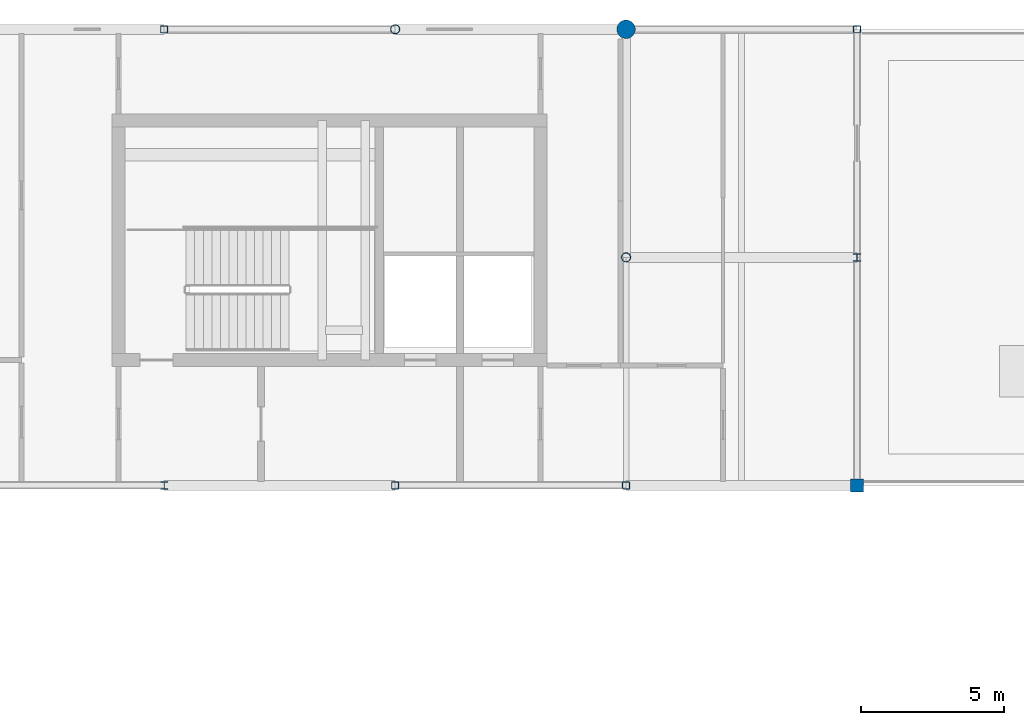
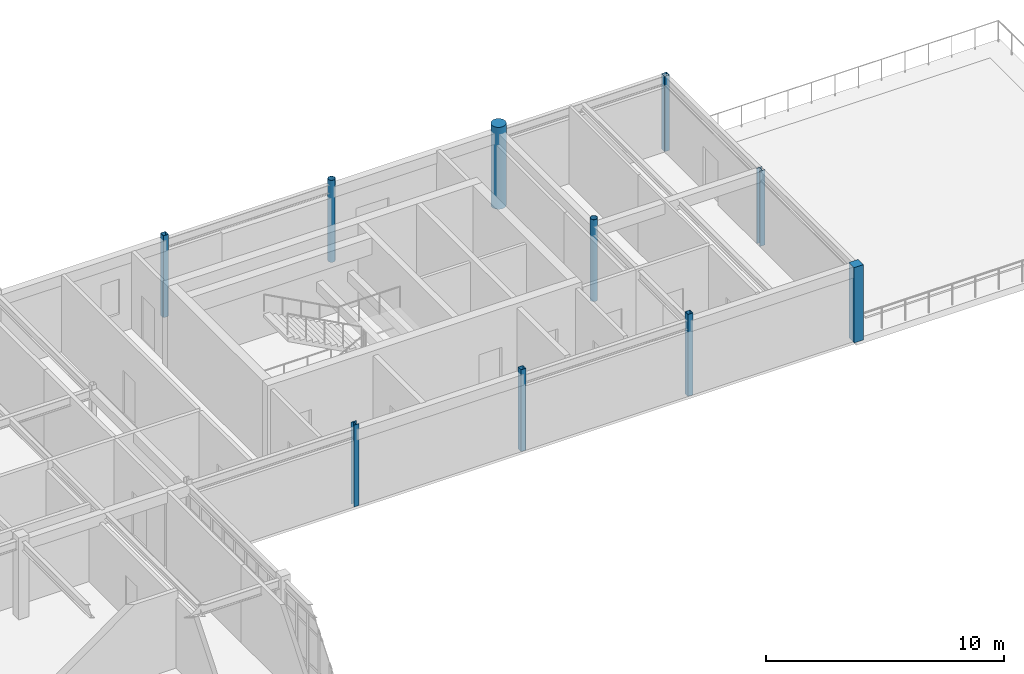
# One storey, part 3 of 18: 10 columns.
"""IFC4 building model written with IfcOpenShell, lengths in metres."""

from ifc_helpers import new_model, si_unit, direction, frame, origin, origin_2d, place, context, subcontext, project, spatial, rectangle, hollow_rectangle, circle, hollow_circle, i_section, extrude, material, material_profile, profile_set, type_object, element, save


model = new_model("IFC4")

# Units and contexts
model_context = context("Model", 3, precision=1e-05, world=origin(), true_north=direction((0.0, 1.0)))
body_context = subcontext(model_context, "Body", "Model", "MODEL_VIEW")
ifc_project = project(units=[si_unit("LENGTHUNIT", "METRE"), si_unit("AREAUNIT", "SQUARE_METRE"), si_unit("VOLUMEUNIT", "CUBIC_METRE"), si_unit("PLANEANGLEUNIT", "RADIAN"), si_unit("MASSUNIT", "GRAM", prefix="KILO")], contexts=[model_context])

# Site, building, storey
site_placement = place(None, origin())
site = spatial("IfcSite", under=ifc_project, at=site_placement, CompositionType="ELEMENT")
building_placement = place(site_placement, origin())
building = spatial("IfcBuilding", under=site, at=building_placement, Name="Tarnveldt Square Police Headquarters", CompositionType="ELEMENT")
storey_placement = place(building_placement, frame((0.0, 0.0, 29.10009765625)))
storey = spatial("IfcBuildingStorey", under=building, at=storey_placement, Name="L06", CompositionType="ELEMENT", Elevation=29.10009765625)

# Columns
ifc_material_1 = material(Name="Steel 350W", Category="steel")
ifc_material_profile_1 = material_profile(ifc_material_1, hollow_circle(Radius=0.161865234375, WallThickness=0.0126953125, at=origin_2d()), Name="HSS324x13")
ifc_profile_set_1 = profile_set([ifc_material_profile_1], Name="Steel 350W")
column_type_1 = type_object("IfcColumnType", Name="COL-CHS324x13", PredefinedType="COLUMN", material=ifc_profile_set_1)
for number, where, z_axis, x_axis, name in (
    (1, (56.699951171875, 112.0, 0.0), (0.0, 0.0, 1.0), (1.0, 0.0, 0.0), "L06 Column 093"),
    (2, (64.800048828125, 104.0, 0.0), (0.0, 0.0, 1.0), (1.0, 0.0, 0.0), "L06 Column 105"),
):
    element("IfcColumn", number, at=place(storey_placement, frame(where, z_axis=z_axis, x_axis=x_axis)), inside=storey, type_object=column_type_1, Name=name, PredefinedType="COLUMN", context=body_context, shape_type="SweptSolid", body=[
        extrude(hollow_circle(Radius=0.161865234375, WallThickness=0.0126953125, at=origin_2d()), origin(), (0.0, 0.0, 1.0), 4.199951171875),
    ])
ifc_material_2 = material(Name="Concrete 40 MPa", Category="concrete")
ifc_material_profile_2 = material_profile(ifc_material_2, circle(Radius=0.324951171875, at=origin_2d()), Name="RC-D650")
ifc_profile_set_2 = profile_set([ifc_material_profile_2], Name="Concrete 40 MPa")
column_type_2 = type_object("IfcColumnType", Name="COL-D650", PredefinedType="COLUMN", material=ifc_profile_set_2)
column_1_placement = place(storey_placement, frame((64.800048828125, 112.0, 0.0), z_axis=(0.0, 0.0, 1.0), x_axis=(1.0, 0.0, 0.0)))
element("IfcColumn", 3, at=column_1_placement, inside=storey, type_object=column_type_2, Name="L06 Column 106", PredefinedType="COLUMN", context=body_context, shape_type="SweptSolid", body=[
    extrude(circle(Radius=0.324951171875, at=origin_2d()), origin(), (0.0, 0.0, 1.0), 4.199951171875),
])
ifc_material_profile_3 = material_profile(ifc_material_1, hollow_rectangle(XDim=0.25390625, YDim=0.25390625, WallThickness=0.0126953125, InnerFilletRadius=0.0126953125, OuterFilletRadius=0.025390625, at=origin_2d()), Name="HSS254x254x13")
ifc_profile_set_3 = profile_set([ifc_material_profile_3], Name="Steel 350W")
column_type_3 = type_object("IfcColumnType", Name="COL-HSS254x13", PredefinedType="COLUMN", material=ifc_profile_set_3)
for number, where, z_axis, x_axis, name in (
    (4, (48.60009765625, 112.0, 0.0), (0.0, 0.0, 1.0), (1.0, 0.0, 0.0), "L06 Column 080"),
    (5, (56.699951171875, 96.0, 0.0), (0.0, 0.0, 1.0), (1.0, 0.0, 0.0), "L06 Column 092"),
    (6, (64.800048828125, 96.0, 0.0), (0.0, 0.0, 1.0), (1.0, 0.0, 0.0), "L06 Column 104"),
):
    element("IfcColumn", number, at=place(storey_placement, frame(where, z_axis=z_axis, x_axis=x_axis)), inside=storey, type_object=column_type_3, Name=name, PredefinedType="COLUMN", context=body_context, shape_type="SweptSolid", body=[
        extrude(hollow_rectangle(XDim=0.25390625, YDim=0.25390625, WallThickness=0.0126953125, InnerFilletRadius=0.0126953125, OuterFilletRadius=0.025390625, at=origin_2d()), origin(), (0.0, 0.0, 1.0), 4.199951171875),
    ])
column_2_placement = place(storey_placement, frame((72.89990234375, 112.0, 0.0), z_axis=(0.0, 0.0, 1.0), x_axis=(1.0, 0.0, 0.0)))
element("IfcColumn", 7, at=column_2_placement, inside=storey, type_object=column_type_3, Name="L06 Column 116", PredefinedType="COLUMN", context=body_context, shape_type="SweptSolid", body=[
    extrude(hollow_rectangle(XDim=0.25390625, YDim=0.25390625, WallThickness=0.0126953125, InnerFilletRadius=0.0126953125, OuterFilletRadius=0.025390625, at=origin_2d()), origin(), (0.0, 0.0, 1.0), 3.85986328125),
])
ifc_material_profile_4 = material_profile(ifc_material_2, rectangle(XDim=0.449951171875, YDim=0.449951171875, at=origin_2d()), Name="RC-C450x450")
ifc_profile_set_4 = profile_set([ifc_material_profile_4], Name="Concrete 40 MPa")
column_type_4 = type_object("IfcColumnType", Name="COL-RC450", PredefinedType="COLUMN", material=ifc_profile_set_4)
column_3_placement = place(storey_placement, frame((72.89990234375, 96.0, 0.0), z_axis=(0.0, 0.0, 1.0), x_axis=(1.0, 0.0, 0.0)))
element("IfcColumn", 8, at=column_3_placement, inside=storey, type_object=column_type_4, Name="L06 Column 114", PredefinedType="COLUMN", context=body_context, shape_type="SweptSolid", body=[
    extrude(rectangle(XDim=0.449951171875, YDim=0.449951171875, at=origin_2d()), origin(), (0.0, 0.0, 1.0), 3.85986328125),
])
ifc_material_profile_5 = material_profile(ifc_material_1, i_section(OverallWidth=0.256103515625, OverallDepth=0.260009765625, WebThickness=0.0107421875, FlangeThickness=0.017333984375, FilletRadius=0.012939453125, at=origin_2d()), Name="W250x89")
ifc_profile_set_5 = profile_set([ifc_material_profile_5], Name="Steel 350W")
column_type_5 = type_object("IfcColumnType", Name="COL-W250x89", PredefinedType="COLUMN", material=ifc_profile_set_5)
column_4_placement = place(storey_placement, frame((48.60009765625, 96.0, 0.0), z_axis=(0.0, 0.0, 1.0), x_axis=(1.0, 0.0, 0.0)))
element("IfcColumn", 9, at=column_4_placement, inside=storey, type_object=column_type_5, Name="L06 Column 079", PredefinedType="COLUMN", context=body_context, shape_type="SweptSolid", body=[
    extrude(i_section(OverallWidth=0.256103515625, OverallDepth=0.260009765625, WebThickness=0.0107421875, FlangeThickness=0.017333984375, FilletRadius=0.012939453125, at=origin_2d()), origin(), (0.0, 0.0, 1.0), 4.199951171875),
])
column_5_placement = place(storey_placement, frame((72.89990234375, 104.0, 0.0), z_axis=(0.0, 0.0, 1.0), x_axis=(1.0, 0.0, 0.0)))
element("IfcColumn", 10, at=column_5_placement, inside=storey, type_object=column_type_5, Name="L06 Column 115", PredefinedType="COLUMN", context=body_context, shape_type="SweptSolid", body=[
    extrude(i_section(OverallWidth=0.256103515625, OverallDepth=0.260009765625, WebThickness=0.0107421875, FlangeThickness=0.017333984375, FilletRadius=0.012939453125, at=origin_2d()), origin(), (0.0, 0.0, 1.0), 3.85986328125),
])

save(model, "model.ifc")
